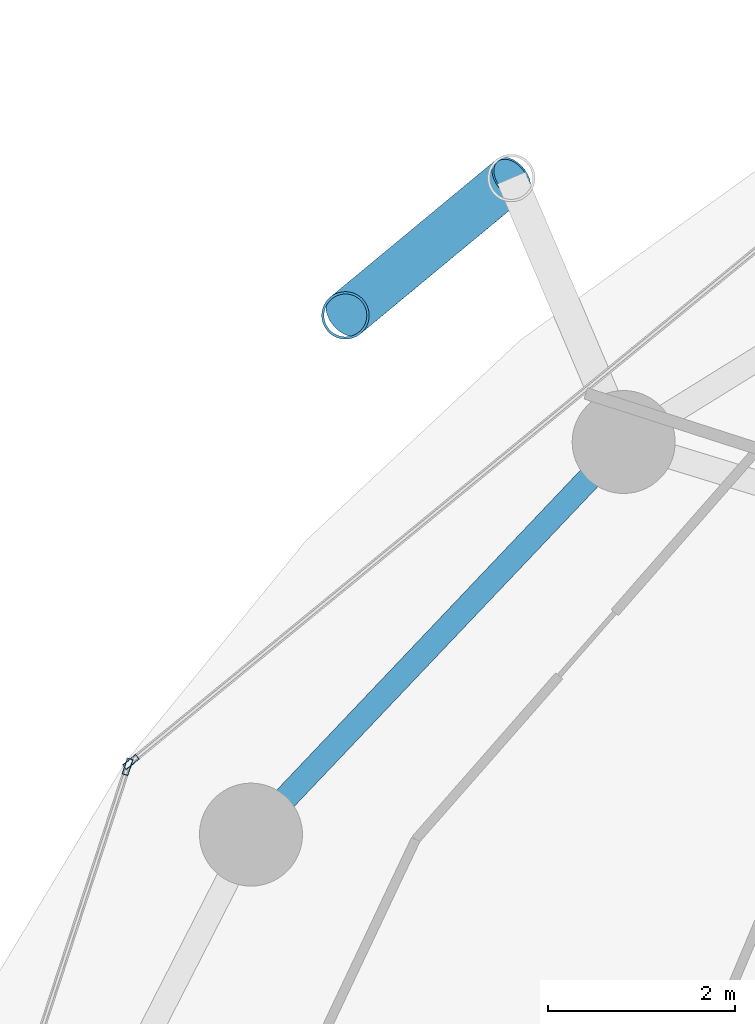
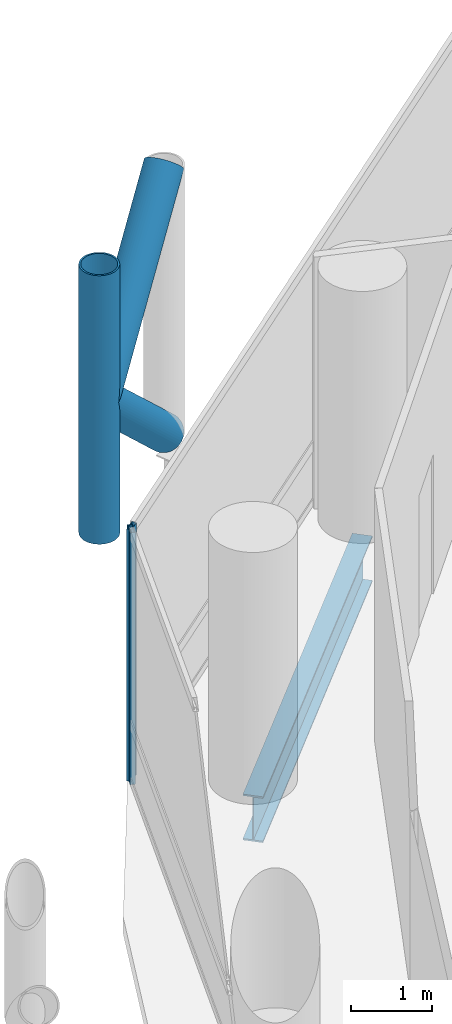
# One storey, part 13 of 26: 5 members, 1 beam, 2 elements without a shape of their own.
"""IFC4 building model written with IfcOpenShell, lengths in metres."""

from ifc_helpers import new_model, si_unit, direction, frame, origin, origin_2d, place, context, subcontext, project, spatial, hollow_rectangle, hollow_circle, i_section, extrude, material, layer, layer_set, material_profile, profile_set, type_object, element, aggregate, save


model = new_model("IFC4")

# Units and contexts
model_context = context("Model", 3, precision=1e-05, world=origin(), true_north=direction((0.0, 1.0)))
body_context = subcontext(model_context, "Body", "Model", "MODEL_VIEW")
ifc_project = project(units=[si_unit("LENGTHUNIT", "METRE"), si_unit("AREAUNIT", "SQUARE_METRE"), si_unit("VOLUMEUNIT", "CUBIC_METRE"), si_unit("PLANEANGLEUNIT", "RADIAN"), si_unit("MASSUNIT", "GRAM", prefix="KILO")], contexts=[model_context])

# Site, building, storey
site_placement = place(None, origin())
site = spatial("IfcSite", under=ifc_project, at=site_placement, CompositionType="ELEMENT")
building_placement = place(site_placement, origin())
building = spatial("IfcBuilding", under=site, at=building_placement, Name="Nuhasar Tower", CompositionType="ELEMENT")
storey_placement = place(building_placement, frame((0.0, 0.0, 93.89990234375)))
storey = spatial("IfcBuildingStorey", under=building, at=storey_placement, Name="L22", CompositionType="ELEMENT", Elevation=93.89990234375)

# Beam
ifc_material_1 = material(Name="Steel S355", Category="steel")
ifc_material_profile_1 = material_profile(ifc_material_1, i_section(OverallWidth=0.256103515625, OverallDepth=0.693115234375, WebThickness=0.014404296875, FlangeThickness=0.023681640625, at=origin_2d()), Name="W27X114")
ifc_profile_set_1 = profile_set([ifc_material_profile_1], Name="Steel S355")
beam_type = type_object("IfcBeamType", Name="BM-RING-W27X114", PredefinedType="SPANDREL", material=ifc_profile_set_1)
beam_placement = place(storey_placement, frame((21.287109375, 41.118896484375, -0.596923828125), z_axis=(-0.688480893507, -0.725254478976, 0.0), x_axis=(0.725254478976, -0.688480893507, 0.0)))
element("IfcBeam", 1, at=beam_placement, inside=storey, type_object=beam_type, Name="L22 Perimeter Ring Spandrel 10", PredefinedType="SPANDREL", context=body_context, shape_type="SweptSolid", body=[
    extrude(i_section(OverallWidth=0.256103515625, OverallDepth=0.693115234375, WebThickness=0.014404296875, FlangeThickness=0.023681640625, at=origin_2d()), origin(), (0.0, 0.0, 1.0), 5.782470703125),
])

# Curtain wall, member
ifc_material_2 = material(Name="Aluminium 6063-T6", Category="aluminium")
ifc_layer = layer(ifc_material_2, 0.199951171875)
ifc_layer_set = layer_set([ifc_layer], Name="Aluminium 6063-T6")
curtain_wall_type = type_object("IfcCurtainWallType", Name="CW-Z1-OFF", PredefinedType="NOTDEFINED", material=ifc_layer_set)
curtain_wall_1_placement = place(storey_placement, origin())
curtain_wall_1 = element("IfcCurtainWall", 2, at=curtain_wall_1_placement, inside=storey, type_object=curtain_wall_type, Name="L22 Unitised Curtain Wall 05", PredefinedType="NOTDEFINED")
ifc_material_profile_2 = material_profile(ifc_material_2, hollow_rectangle(XDim=0.06494140625, YDim=0.179931640625, WallThickness=0.0048828125, at=origin_2d()), Name="CWM-2")
ifc_profile_set_2 = profile_set([ifc_material_profile_2], Name="Aluminium 6063-T6")
member_type_1 = type_object("IfcMemberType", Name="CW-MUL-S2", PredefinedType="MULLION", material=ifc_profile_set_2)
member_1_placement = place(storey_placement, frame((16.023193359375, 37.70068359375, 0.0), z_axis=(0.0, 0.0, 1.0), x_axis=(0.633744593376, -0.773542364946, 0.0)))
member_1 = element("IfcMember", 3, at=member_1_placement, type_object=member_type_1, Name="CW-Z1 mullion 2", PredefinedType="MULLION", context=body_context, shape_type="SweptSolid", body=[
    extrude(hollow_rectangle(XDim=0.06494140625, YDim=0.179931640625, WallThickness=0.0048828125, at=origin_2d()), origin(), (0.0, 0.0, 1.0), 3.800048828125),
])
aggregate(curtain_wall_1, [member_1])

curtain_wall_2_placement = place(storey_placement, origin())
curtain_wall_2 = element("IfcCurtainWall", 4, at=curtain_wall_2_placement, inside=storey, type_object=curtain_wall_type, Name="L22 Unitised Curtain Wall 06", PredefinedType="NOTDEFINED")
member_2_placement = place(storey_placement, frame((15.98779296875, 37.649169921875, 0.0), z_axis=(0.0, 0.0, 1.0), x_axis=(0.950467534571, -0.310823849997, 0.0)))
member_2 = element("IfcMember", 5, at=member_2_placement, type_object=member_type_1, Name="CW-Z1 mullion 1", PredefinedType="MULLION", context=body_context, shape_type="SweptSolid", body=[
    extrude(hollow_rectangle(XDim=0.06494140625, YDim=0.179931640625, WallThickness=0.0048828125, at=origin_2d()), origin(), (0.0, 0.0, 1.0), 3.800048828125),
])
aggregate(curtain_wall_2, [member_2])

# Members
ifc_material_3 = material(Name="Steel S460", Category="steel")
ifc_material_profile_3 = material_profile(ifc_material_3, hollow_circle(Radius=0.25390625, WallThickness=0.025390625, at=origin_2d()), Name="HSS508X25.4")
ifc_profile_set_3 = profile_set([ifc_material_profile_3], Name="Steel S460")
member_type_2 = type_object("IfcMemberType", Name="EXO-BRONZE-508", PredefinedType="BRACE", material=ifc_profile_set_3)
member_3_placement = place(storey_placement, frame((18.31494140625, 42.470947265625, 0.0), z_axis=(0.0, 0.0, 1.0), x_axis=(1.0, 0.0, 0.0)))
element("IfcMember", 6, at=member_3_placement, inside=storey, type_object=member_type_2, Name="L22 Exoskeleton Chord Column EC-05B", PredefinedType="BRACE", context=body_context, shape_type="SweptSolid", body=[
    extrude(hollow_circle(Radius=0.25390625, WallThickness=0.025390625, at=origin_2d()), origin(), (0.0, 0.0, 1.0), 4.050048828125),
])
member_4_placement = place(storey_placement, frame((20.0869140625, 43.93896484375, 0.0), z_axis=(-0.578071194894, -0.478911834514, 0.660664172175), x_axis=(0.637969333506, -0.770061769929, 0.0)))
element("IfcMember", 7, at=member_4_placement, inside=storey, type_object=member_type_2, Name="L22 Bronze Diagrid Brace W1-05", PredefinedType="BRACE", context=body_context, shape_type="SweptSolid", body=[
    extrude(hollow_circle(Radius=0.25390625, WallThickness=0.025390625, at=origin_2d()), origin(), (0.0, 0.0, 1.0), 3.0654296875),
])
member_5_placement = place(storey_placement, frame((18.31494140625, 42.470947265625, 2.025146484375), z_axis=(0.578101613167, 0.478937034992, 0.660619286251), x_axis=(-0.637969333506, 0.770061769929, 0.0)))
element("IfcMember", 8, at=member_5_placement, inside=storey, type_object=member_type_2, Name="L22 Bronze Diagrid Brace W2-05", PredefinedType="BRACE", context=body_context, shape_type="SweptSolid", body=[
    extrude(hollow_circle(Radius=0.25390625, WallThickness=0.025390625, at=origin_2d()), origin(), (0.0, 0.0, 1.0), 3.065185546875),
])

save(model, "model.ifc")
